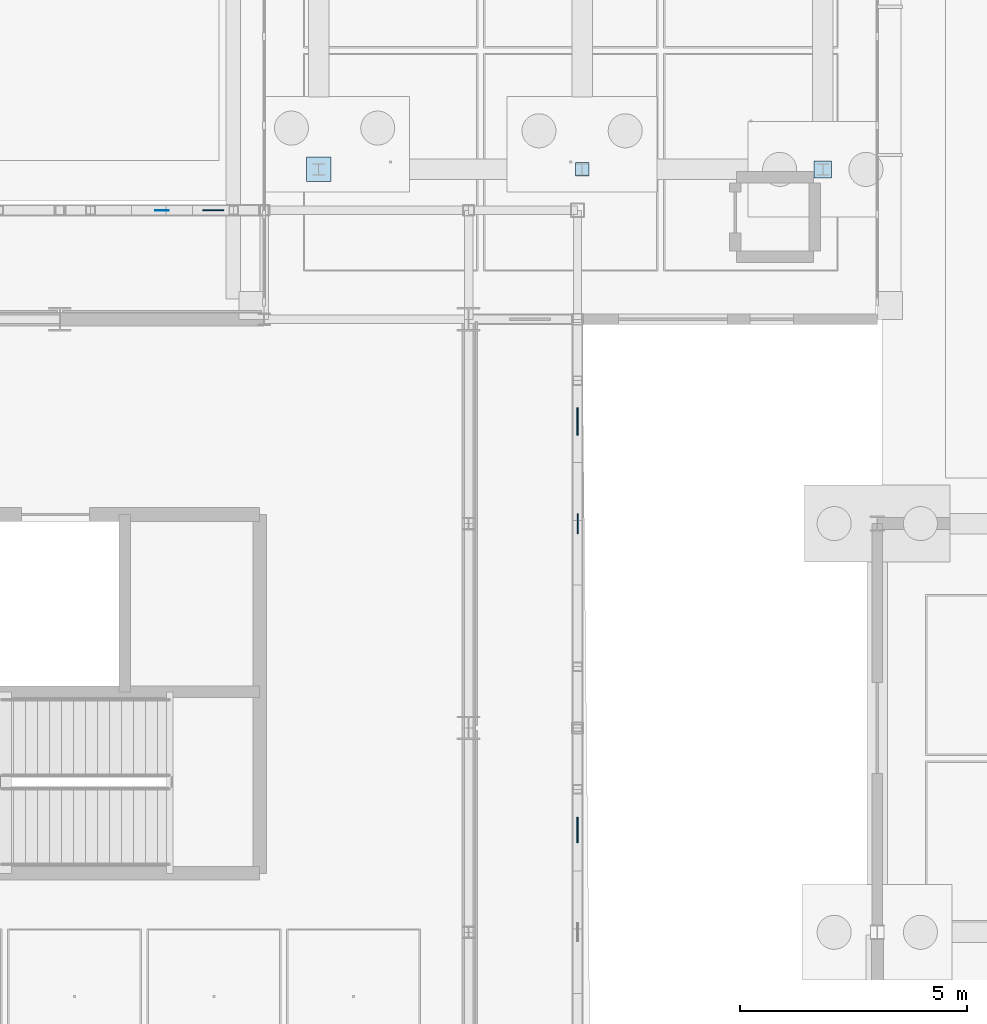
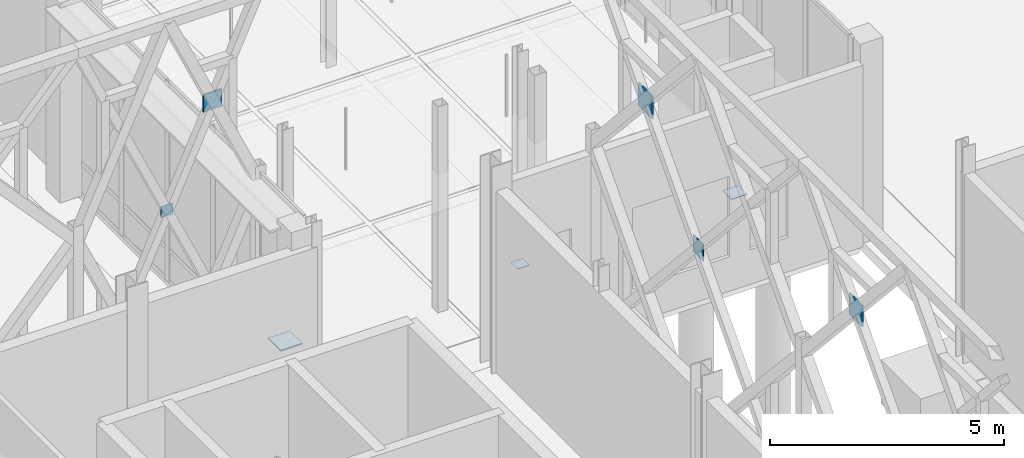
# One storey, part 85 of 180: 8 plates.
"""IFC4 building model written with IfcOpenShell, lengths in metres."""

from ifc_helpers import new_model, si_unit, direction, frame, origin, origin_2d, place, context, subcontext, project, spatial, rectangle, extrude, material, layer, layer_set, type_object, element, save


model = new_model("IFC4")

# Units and contexts
model_context = context("Model", 3, precision=1e-05, world=origin(), true_north=direction((0.0, 1.0)))
body_context = subcontext(model_context, "Body", "Model", "MODEL_VIEW")
ifc_project = project(units=[si_unit("LENGTHUNIT", "METRE"), si_unit("AREAUNIT", "SQUARE_METRE"), si_unit("VOLUMEUNIT", "CUBIC_METRE"), si_unit("PLANEANGLEUNIT", "RADIAN"), si_unit("MASSUNIT", "GRAM", prefix="KILO"), si_unit("THERMODYNAMICTEMPERATUREUNIT", "KELVIN"), si_unit("POWERUNIT", "WATT")], contexts=[model_context])

# Site, building, storey
site_placement = place(None, origin())
site = spatial("IfcSite", under=ifc_project, at=site_placement, CompositionType="ELEMENT")
building_placement = place(site_placement, origin())
building = spatial("IfcBuilding", under=site, at=building_placement, Name="Tallowbark Science Centre", CompositionType="ELEMENT")
storey_placement = place(building_placement, origin())
storey = spatial("IfcBuildingStorey", under=building, at=storey_placement, Name="L00", CompositionType="ELEMENT", Elevation=0.0)

# Plates
ifc_material = material(Name="Structural Steel Grade 300PLUS (300 MPa)", Category="steel")
ifc_layer_1 = layer(ifc_material, 0.010009765625)
ifc_layer_set_1 = layer_set([ifc_layer_1], Name="Structural Steel Grade 300PLUS (300 MPa)")
plate_type_1 = type_object("IfcPlateType", Name="PLT-GUS-10", PredefinedType="SHEET", material=ifc_layer_set_1)
plate_1_placement = place(storey_placement, frame((106.0, 43.800048828125, -0.240234375), z_axis=(0.0, 0.0, 1.0), x_axis=(1.0, 0.0, 0.0)))
element("IfcPlate", 1, at=plate_1_placement, inside=storey, type_object=plate_type_1, Name="Column Baseplate LNK-1_0", PredefinedType="SHEET", context=body_context, shape_type="SweptSolid", body=[
    extrude(rectangle(XDim=0.300048828125, YDim=0.300048828125, at=origin_2d()), origin(), (0.0, 0.0, 1.0), 0.010009765625),
])
plate_2_placement = place(storey_placement, frame((96.75, 42.89990234375, 4.7998046875), z_axis=(0.0, 0.0, 1.0), x_axis=(1.0, 0.0, 0.0)))
element("IfcPlate", 2, at=plate_2_placement, inside=storey, type_object=plate_type_1, Name="Star X-Brace Crossing Gusset Plate N-9", PredefinedType="SHEET", context=body_context, shape_type="SweptSolid", body=[
    extrude(rectangle(XDim=0.300048828125, YDim=0.010009765625, at=origin_2d()), origin(), (0.0, 0.0, 1.0), 0.300048828125),
])
ifc_layer_2 = layer(ifc_material, 0.01806640625)
ifc_layer_set_2 = layer_set([ifc_layer_2], Name="Structural Steel Grade 300PLUS (300 MPa)")
plate_type_2 = type_object("IfcPlateType", Name="PLT-GUS-18", PredefinedType="SHEET", material=ifc_layer_set_2)
plate_3_placement = place(storey_placement, frame((111.300048828125, 43.800048828125, -0.239990234375), z_axis=(0.0, 0.0, 1.0), x_axis=(1.0, 0.0, 0.0)))
element("IfcPlate", 3, at=plate_3_placement, inside=storey, type_object=plate_type_2, Name="Column Baseplate LNK-2_0", PredefinedType="SHEET", context=body_context, shape_type="SweptSolid", body=[
    extrude(rectangle(XDim=0.3798828125, YDim=0.3798828125, at=origin_2d()), origin(), (0.0, 0.0, 1.0), 0.01806640625),
])
ifc_layer_3 = layer(ifc_material, 0.02392578125)
ifc_layer_set_3 = layer_set([ifc_layer_3], Name="Structural Steel Grade 300PLUS (300 MPa)")
plate_type_3 = type_object("IfcPlateType", Name="PLT-GUS-24", PredefinedType="SHEET", material=ifc_layer_set_3)
plate_4_placement = place(storey_placement, frame((105.89990234375, 36.0, 4.72998046875), z_axis=(0.0, 0.0, 1.0), x_axis=(0.0, 1.0, 0.0)))
element("IfcPlate", 4, at=plate_4_placement, inside=storey, type_object=plate_type_3, Name="Star X-Brace Crossing Gusset Plate E-16", PredefinedType="SHEET", context=body_context, shape_type="SweptSolid", body=[
    extrude(rectangle(XDim=0.43994140625, YDim=0.02392578125, at=origin_2d()), origin(), (0.0, 0.0, 1.0), 0.43994140625),
])
ifc_layer_4 = layer(ifc_material, 0.02587890625)
ifc_layer_set_4 = layer_set([ifc_layer_4], Name="Structural Steel Grade 300PLUS (300 MPa)")
plate_type_4 = type_object("IfcPlateType", Name="PLT-GUS-26", PredefinedType="SHEET", material=ifc_layer_set_4)
plate_5_placement = place(storey_placement, frame((97.875, 42.89990234375, 7.195068359375), z_axis=(0.0, 0.0, 1.0), x_axis=(1.0, 0.0, 0.0)))
element("IfcPlate", 5, at=plate_5_placement, inside=storey, type_object=plate_type_4, Name="Star Primary Chord Crossing Gusset Plate N-9", PredefinedType="SHEET", context=body_context, shape_type="SweptSolid", body=[
    extrude(rectangle(XDim=0.4599609375, YDim=0.02587890625, at=origin_2d()), origin(), (0.0, 0.0, 1.0), 0.4599609375),
])
ifc_layer_5 = layer(ifc_material, 0.033935546875)
ifc_layer_set_5 = layer_set([ifc_layer_5], Name="Structural Steel Grade 300PLUS (300 MPa)")
plate_type_5 = type_object("IfcPlateType", Name="PLT-GUS-34", PredefinedType="SHEET", material=ifc_layer_set_5)
plate_6_placement = place(storey_placement, frame((100.199951171875, 43.800048828125, -0.23974609375), z_axis=(0.0, 0.0, 1.0), x_axis=(1.0, 0.0, 0.0)))
element("IfcPlate", 6, at=plate_6_placement, inside=storey, type_object=plate_type_5, Name="Column Baseplate LNK-0_0", PredefinedType="SHEET", context=body_context, shape_type="SweptSolid", body=[
    extrude(rectangle(XDim=0.5400390625, YDim=0.5400390625, at=origin_2d()), origin(), (0.0, 0.0, 1.0), 0.033935546875),
])
ifc_layer_6 = layer(ifc_material, 0.035888671875)
ifc_layer_set_6 = layer_set([ifc_layer_6], Name="Structural Steel Grade 300PLUS (300 MPa)")
plate_type_6 = type_object("IfcPlateType", Name="PLT-GUS-36", PredefinedType="SHEET", material=ifc_layer_set_6)
plate_7_placement = place(storey_placement, frame((105.89990234375, 29.25, 7.14501953125), z_axis=(0.0, 0.0, 1.0), x_axis=(0.0, 1.0, 0.0)))
element("IfcPlate", 7, at=plate_7_placement, inside=storey, type_object=plate_type_6, Name="Star Primary Chord Crossing Gusset Plate E-14", PredefinedType="SHEET", context=body_context, shape_type="SweptSolid", body=[
    extrude(rectangle(XDim=0.56005859375, YDim=0.035888671875, at=origin_2d()), origin(), (0.0, 0.0, 1.0), 0.56005859375),
])
ifc_layer_7 = layer(ifc_material, 0.0400390625)
ifc_layer_set_7 = layer_set([ifc_layer_7], Name="Structural Steel Grade 300PLUS (300 MPa)")
plate_type_7 = type_object("IfcPlateType", Name="PLT-GUS-40", PredefinedType="SHEET", material=ifc_layer_set_7)
plate_8_placement = place(storey_placement, frame((105.89990234375, 38.25, 7.125), z_axis=(0.0, 0.0, 1.0), x_axis=(0.0, 1.0, 0.0)))
element("IfcPlate", 8, at=plate_8_placement, inside=storey, type_object=plate_type_7, Name="Star Primary Chord Crossing Gusset Plate E-16", PredefinedType="SHEET", context=body_context, shape_type="SweptSolid", body=[
    extrude(rectangle(XDim=0.60009765625, YDim=0.0400390625, at=origin_2d()), origin(), (0.0, 0.0, 1.0), 0.60009765625),
])

save(model, "model.ifc")
